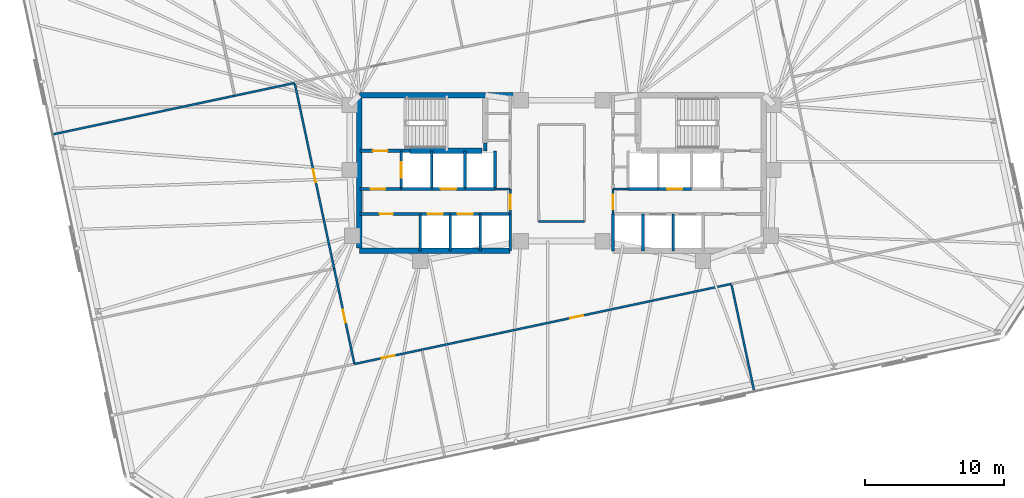
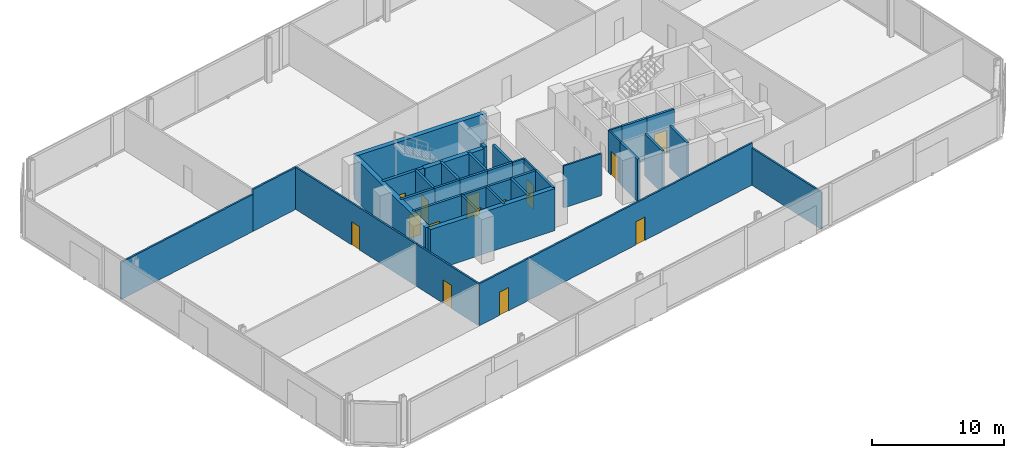
# One storey, part 11 of 15: 36 walls, 14 doors, 14 openings.
"""IFC4 building model written with IfcOpenShell, lengths in metres."""

from ifc_helpers import new_model, si_unit, direction, frame, frame_2d, origin, place, context, subcontext, project, spatial, rectangle, extrude, material, layer, layer_set, type_object, element, fill, save


model = new_model("IFC4")

# Units and contexts
model_context = context("Model", 3, precision=1e-05, world=origin(), true_north=direction((0.0, 1.0)))
body_context = subcontext(model_context, "Body", "Model", "MODEL_VIEW")
ifc_project = project(units=[si_unit("LENGTHUNIT", "METRE"), si_unit("AREAUNIT", "SQUARE_METRE"), si_unit("VOLUMEUNIT", "CUBIC_METRE"), si_unit("PLANEANGLEUNIT", "RADIAN"), si_unit("MASSUNIT", "GRAM", prefix="KILO")], contexts=[model_context])

# Site, building, storey
site_placement = place(None, origin())
site = spatial("IfcSite", under=ifc_project, at=site_placement, CompositionType="ELEMENT")
building_placement = place(site_placement, origin())
building = spatial("IfcBuilding", under=site, at=building_placement, Name="Menara Jurai Vektor", CompositionType="ELEMENT")
storey_placement = place(building_placement, frame((0.0, 0.0, 147.300048828125)))
storey = spatial("IfcBuildingStorey", under=building, at=storey_placement, Name="L37", CompositionType="ELEMENT", Elevation=147.300048828125)

# Wall, opening, door
ifc_material_1 = material(Name="Concrete C40/50", Category="concrete")
ifc_layer_1 = layer(ifc_material_1, 0.25)
ifc_layer_set_1 = layer_set([ifc_layer_1], Name="Concrete C40/50")
wall_type_1 = type_object("IfcWallType", Name="INT-WALL-CORE-250", PredefinedType="STANDARD", material=ifc_layer_set_1)
wall_1_placement = place(storey_placement, frame((-14.5, 1.60009765625, 0.0), z_axis=(0.0, 0.0, 1.0), x_axis=(1.0, 0.0, 0.0)))
wall_1 = element("IfcWall", 1, at=wall_1_placement, inside=storey, type_object=wall_type_1, Name="Interior Wall IW-250 L37", PredefinedType="STANDARD", context=body_context, shape_type="SweptSolid", body=[
    extrude(rectangle(XDim=3.60009765625, YDim=0.25, at=frame_2d((1.800048828125, 0.0))), origin(), (0.0, 0.0, 1.0), 3.875),
])
opening_1_placement = place(wall_1_placement, frame((0.919921875, 0.0, 0.0)))
opening_1 = element("IfcOpeningElement", 2, at=opening_1_placement, cuts=wall_1, Name="Opening D-L37-ST1", PredefinedType="OPENING", context=body_context, shape_type="SweptSolid", body=[
    extrude(rectangle(XDim=1.050048828125, YDim=2.14990234375, at=frame_2d((0.52490234375, 1.074951171875))), frame((0.0, 0.135009765625, 0.0), z_axis=(0.0, -1.0, 0.0), x_axis=(1.0, 0.0, 0.0)), (0.0, 0.0, 1.0), 0.27001953125),
])
ifc_material_2 = material(Name="Fire-Rated Steel Door", Category="steel")
door_type_1 = type_object("IfcDoorType", Name="DR-STAIR-1050", OperationType="NOTDEFINED", PredefinedType="DOOR", material=ifc_material_2)
door_1_placement = place(opening_1_placement, origin())
door_1 = element("IfcDoor", 3, at=door_1_placement, inside=storey, type_object=door_type_1, Name="Exit Stair ST1 Door L37", OperationType="SINGLE_SWING_RIGHT", OverallHeight=2.14990234375, OverallWidth=1.050048828125, PredefinedType="DOOR", context=body_context, shape_type="SweptSolid", body=[
    extrude(rectangle(XDim=1.050048828125, YDim=2.14990234375, at=frame_2d((0.52490234375, 1.074951171875))), frame((0.0, 0.02490234375, 0.0), z_axis=(0.0, -1.0, 0.0), x_axis=(1.0, 0.0, 0.0)), (0.0, 0.0, 1.0), 0.050048828125),
])
fill(opening_1, door_1)

# Wall
wall_2_placement = place(storey_placement, frame((-5.5, 1.60009765625, 0.0), z_axis=(0.0, 0.0, 1.0), x_axis=(0.0, 1.0, 0.0)))
element("IfcWall", 4, at=wall_2_placement, inside=storey, type_object=wall_type_1, Name="Interior Wall IW-250 L37", PredefinedType="STANDARD", context=body_context, shape_type="SweptSolid", body=[
    extrude(rectangle(XDim=0.5498046875, YDim=0.25, at=frame_2d((0.27490234375, 0.0))), origin(), (0.0, 0.0, 1.0), 3.875),
])

# Wall, opening, door
wall_3_placement = place(storey_placement, frame((-11.550048828125, -1.14990234375, 0.0), z_axis=(0.0, 0.0, 1.0), x_axis=(0.0, 1.0, 0.0)))
wall_3 = element("IfcWall", 5, at=wall_3_placement, inside=storey, type_object=wall_type_1, Name="Interior Wall IW-250 L37", PredefinedType="STANDARD", context=body_context, shape_type="SweptSolid", body=[
    extrude(rectangle(XDim=2.75, YDim=0.199951171875, at=frame_2d((1.375, 0.0))), origin(), (0.0, 0.0, 1.0), 3.875),
])
opening_2_placement = place(wall_3_placement, frame((0.824951171875, 0.0, 0.0)))
opening_2 = element("IfcOpeningElement", 6, at=opening_2_placement, cuts=wall_3, Name="Opening LD-L37-FL1", PredefinedType="OPENING", context=body_context, shape_type="SweptSolid", body=[
    extrude(rectangle(XDim=1.10009765625, YDim=2.14990234375, at=frame_2d((0.550048828125, 1.074951171875))), frame((0.0, 0.10986328125, 0.0), z_axis=(0.0, -1.0, 0.0), x_axis=(1.0, 0.0, 0.0)), (0.0, 0.0, 1.0), 0.219970703125),
])
ifc_material_3 = material(Name="Stainless Steel Sliding Lift Landing Door", Category="steel")
door_type_2 = type_object("IfcDoorType", Name="DR-LIFT-FIRE-1100", OperationType="NOTDEFINED", PredefinedType="DOOR", material=ifc_material_3)
door_2_placement = place(opening_2_placement, origin())
door_2 = element("IfcDoor", 7, at=door_2_placement, inside=storey, type_object=door_type_2, Name="Lift Landing Door FL1 L37", OperationType="SLIDING_TO_RIGHT", OverallHeight=2.14990234375, OverallWidth=1.10009765625, PredefinedType="DOOR", context=body_context, shape_type="SweptSolid", body=[
    extrude(rectangle(XDim=1.10009765625, YDim=2.14990234375, at=frame_2d((0.550048828125, 1.074951171875))), frame((0.0, 0.02490234375, 0.0), z_axis=(0.0, -1.0, 0.0), x_axis=(1.0, 0.0, 0.0)), (0.0, 0.0, 1.0), 0.050048828125),
])
fill(opening_2, door_2)

# Wall
wall_4_placement = place(storey_placement, frame((-9.35009765625, -1.14990234375, 0.0), z_axis=(0.0, 0.0, 1.0), x_axis=(0.0, 1.0, 0.0)))
element("IfcWall", 8, at=wall_4_placement, inside=storey, type_object=wall_type_1, Name="Interior Wall IW-250 L37", PredefinedType="STANDARD", context=body_context, shape_type="SweptSolid", body=[
    extrude(rectangle(XDim=2.75, YDim=0.199951171875, at=frame_2d((1.375, 0.0))), origin(), (0.0, 0.0, 1.0), 3.875),
])

# Wall, opening, door
wall_5_placement = place(storey_placement, frame((-14.5, -1.14990234375, 0.0), z_axis=(0.0, 0.0, 1.0), x_axis=(1.0, 0.0, 0.0)))
wall_5 = element("IfcWall", 9, at=wall_5_placement, inside=storey, type_object=wall_type_1, Name="Interior Wall IW-250 L37", PredefinedType="STANDARD", context=body_context, shape_type="SweptSolid", body=[
    extrude(rectangle(XDim=2.949951171875, YDim=0.199951171875, at=frame_2d((1.47509765625, 0.0))), origin(), (0.0, 0.0, 1.0), 3.875),
])
opening_3_placement = place(wall_5_placement, frame((0.75, 0.0, 0.0)))
opening_3 = element("IfcOpeningElement", 10, at=opening_3_placement, cuts=wall_5, Name="Opening D-L37-FFW", PredefinedType="OPENING", context=body_context, shape_type="SweptSolid", body=[
    extrude(rectangle(XDim=1.050048828125, YDim=2.179931640625, at=frame_2d((0.52490234375, 1.08984375))), frame((0.0, 0.10986328125, 0.0), z_axis=(0.0, -1.0, 0.0), x_axis=(1.0, 0.0, 0.0)), (0.0, 0.0, 1.0), 0.219970703125),
])
ifc_material_4 = material(Name="Fire-Rated Timber Door", Category="wood")
door_type_3 = type_object("IfcDoorType", Name="DR-LOBBY-1050", OperationType="NOTDEFINED", PredefinedType="DOOR", material=ifc_material_4)
door_3_placement = place(opening_3_placement, origin())
door_3 = element("IfcDoor", 11, at=door_3_placement, inside=storey, type_object=door_type_3, Name="Fire Lift Lobby Door W L37", OperationType="SINGLE_SWING_RIGHT", OverallHeight=2.179931640625, OverallWidth=1.050048828125, PredefinedType="DOOR", context=body_context, shape_type="SweptSolid", body=[
    extrude(rectangle(XDim=1.050048828125, YDim=2.179931640625, at=frame_2d((0.52490234375, 1.08984375))), frame((0.0, 0.02490234375, 0.0), z_axis=(0.0, -1.0, 0.0), x_axis=(1.0, 0.0, 0.0)), (0.0, 0.0, 1.0), 0.050048828125),
])
fill(opening_3, door_3)

# Wall
wall_6_placement = place(storey_placement, frame((-11.550048828125, -1.14990234375, 0.0), z_axis=(0.0, 0.0, 1.0), x_axis=(1.0, 0.0, 0.0)))
element("IfcWall", 12, at=wall_6_placement, inside=storey, type_object=wall_type_1, Name="Interior Wall IW-250 L37", PredefinedType="STANDARD", context=body_context, shape_type="SweptSolid", body=[
    extrude(rectangle(XDim=2.199951171875, YDim=0.199951171875, at=frame_2d((1.10009765625, 0.0))), origin(), (0.0, 0.0, 1.0), 3.875),
])

# Wall, opening, door
ifc_material_5 = material(Name="Gypsum Fireboard Partition", Category="gypsum")
ifc_layer_2 = layer(ifc_material_5, 0.14990234375)
ifc_layer_set_2 = layer_set([ifc_layer_2], Name="Gypsum Fireboard Partition")
wall_type_2 = type_object("IfcWallType", Name="INT-WALL-CORR-150", PredefinedType="PARTITIONING", material=ifc_layer_set_2)
wall_7_placement = place(storey_placement, frame((-3.699951171875, -2.949951171875, 0.0), z_axis=(0.0, 0.0, 1.0), x_axis=(0.0, 1.0, 0.0)))
wall_7 = element("IfcWall", 13, at=wall_7_placement, inside=storey, type_object=wall_type_2, Name="Interior Wall IW-150 L37", PredefinedType="PARTITIONING", context=body_context, shape_type="SweptSolid", body=[
    extrude(rectangle(XDim=1.800048828125, YDim=0.14990234375, at=frame_2d((0.89990234375, 0.0))), origin(), (0.0, 0.0, 1.0), 3.875),
])
opening_4_placement = place(wall_7_placement, frame((0.35009765625, 0.0, 0.0)))
opening_4 = element("IfcOpeningElement", 14, at=opening_4_placement, cuts=wall_7, Name="Opening D-L37-LLW", PredefinedType="OPENING", context=body_context, shape_type="SweptSolid", body=[
    extrude(rectangle(XDim=1.050048828125, YDim=2.179931640625, at=frame_2d((0.52490234375, 1.08984375))), frame((0.0, 0.0849609375, 0.0), z_axis=(0.0, -1.0, 0.0), x_axis=(1.0, 0.0, 0.0)), (0.0, 0.0, 1.0), 0.169921875),
])
door_4_placement = place(opening_4_placement, origin())
door_4 = element("IfcDoor", 15, at=door_4_placement, inside=storey, type_object=door_type_3, Name="Lift Lobby Corridor Door W L37", OperationType="SINGLE_SWING_LEFT", OverallHeight=2.179931640625, OverallWidth=1.050048828125, PredefinedType="DOOR", context=body_context, shape_type="SweptSolid", body=[
    extrude(rectangle(XDim=1.050048828125, YDim=2.179931640625, at=frame_2d((0.52490234375, 1.08984375))), frame((0.0, 0.02490234375, 0.0), z_axis=(0.0, -1.0, 0.0), x_axis=(1.0, 0.0, 0.0)), (0.0, 0.0, 1.0), 0.050048828125),
])
fill(opening_4, door_4)

# Wall
wall_8_placement = place(storey_placement, frame((-4.7900390625, -1.14990234375, 0.0), z_axis=(0.0, 0.0, 1.0), x_axis=(1.0, 0.0, 0.0)))
element("IfcWall", 16, at=wall_8_placement, inside=storey, type_object=wall_type_2, Name="Interior Wall IW-150 L37", PredefinedType="PARTITIONING", context=body_context, shape_type="SweptSolid", body=[
    extrude(rectangle(XDim=1.090087890625, YDim=0.14990234375, at=frame_2d((0.544921875, 0.0))), origin(), (0.0, 0.0, 1.0), 3.875),
])

# Wall, opening, door
wall_9_placement = place(storey_placement, frame((3.699951171875, -2.949951171875, 0.0), z_axis=(0.0, 0.0, 1.0), x_axis=(0.0, 1.0, 0.0)))
wall_9 = element("IfcWall", 17, at=wall_9_placement, inside=storey, type_object=wall_type_2, Name="Interior Wall IW-150 L37", PredefinedType="PARTITIONING", context=body_context, shape_type="SweptSolid", body=[
    extrude(rectangle(XDim=1.800048828125, YDim=0.14990234375, at=frame_2d((0.89990234375, 0.0))), origin(), (0.0, 0.0, 1.0), 3.875),
])
opening_5_placement = place(wall_9_placement, frame((0.35009765625, 0.0, 0.0)))
opening_5 = element("IfcOpeningElement", 18, at=opening_5_placement, cuts=wall_9, Name="Opening D-L37-LLE", PredefinedType="OPENING", context=body_context, shape_type="SweptSolid", body=[
    extrude(rectangle(XDim=1.050048828125, YDim=2.179931640625, at=frame_2d((0.52490234375, 1.08984375))), frame((0.0, 0.0849609375, 0.0), z_axis=(0.0, -1.0, 0.0), x_axis=(1.0, 0.0, 0.0)), (0.0, 0.0, 1.0), 0.169921875),
])
door_5_placement = place(opening_5_placement, frame((1.050048828125, 0.0, 0.0), z_axis=(0.0, 0.0, 1.0), x_axis=(-1.0, 0.0, 0.0)))
door_5 = element("IfcDoor", 19, at=door_5_placement, inside=storey, type_object=door_type_3, Name="Lift Lobby Corridor Door E L37", OperationType="SINGLE_SWING_RIGHT", OverallHeight=2.179931640625, OverallWidth=1.050048828125, PredefinedType="DOOR", context=body_context, shape_type="SweptSolid", body=[
    extrude(rectangle(XDim=1.050048828125, YDim=2.179931640625, at=frame_2d((0.52490234375, 1.08984375))), frame((0.0, 0.02490234375, 0.0), z_axis=(0.0, -1.0, 0.0), x_axis=(1.0, 0.0, 0.0)), (0.0, 0.0, 1.0), 0.050048828125),
])
fill(opening_5, door_5)

# Walls
wall_10_placement = place(storey_placement, frame((3.699951171875, -1.14990234375, 0.0), z_axis=(0.0, 0.0, 1.0), x_axis=(1.0, 0.0, 0.0)))
element("IfcWall", 20, at=wall_10_placement, inside=storey, type_object=wall_type_2, Name="Interior Wall IW-150 L37", PredefinedType="PARTITIONING", context=body_context, shape_type="SweptSolid", body=[
    extrude(rectangle(XDim=1.090087890625, YDim=0.14990234375, at=frame_2d((0.544921875, 0.0))), origin(), (0.0, 0.0, 1.0), 3.875),
])
wall_11_placement = place(storey_placement, frame((-1.64990234375, -3.489501953125, 0.0), z_axis=(0.0, 0.0, 1.0), x_axis=(0.999999975374, -0.000221926315, 0.0)))
element("IfcWall", 21, at=wall_11_placement, inside=storey, type_object=wall_type_2, Name="Interior Wall IW-150 L37", PredefinedType="PARTITIONING", context=body_context, shape_type="SweptSolid", body=[
    extrude(rectangle(XDim=3.30029296875, YDim=0.14990234375, at=frame_2d((1.650146484375, 0.0))), origin(), (0.0, 0.0, 1.0), 3.875),
])

# Wall, opening, door
wall_12_placement = place(storey_placement, frame((-14.916015625, -13.74365234375, 0.0), z_axis=(0.0, 0.0, 1.0), x_axis=(0.978155974847, 0.207872289811, 0.0)))
wall_12 = element("IfcWall", 22, at=wall_12_placement, inside=storey, type_object=wall_type_2, Name="Interior Wall IW-150 L37", PredefinedType="PARTITIONING", context=body_context, shape_type="SweptSolid", body=[
    extrude(rectangle(XDim=4.962158203125, YDim=0.14990234375, at=frame_2d((2.48095703125, 0.0))), origin(), (0.0, 0.0, 1.0), 3.875),
])
opening_6_placement = place(wall_12_placement, frame((2.006103515625, 0.0, 0.0)))
opening_6 = element("IfcOpeningElement", 23, at=opening_6_placement, cuts=wall_12, Name="Opening D37-12", PredefinedType="OPENING", context=body_context, shape_type="SweptSolid", body=[
    extrude(rectangle(XDim=0.949951171875, YDim=2.14990234375, at=frame_2d((0.47509765625, 1.074951171875))), frame((0.0, 0.0849609375, 0.0), z_axis=(0.0, -1.0, 0.0), x_axis=(1.0, 0.0, 0.0)), (0.0, 0.0, 1.0), 0.169921875),
])
ifc_material_6 = material(Name="Solid Core Timber Fire Door", Category="wood")
door_type_4 = type_object("IfcDoorType", Name="DR-ENTRY-950", OperationType="NOTDEFINED", PredefinedType="DOOR", material=ifc_material_6)
door_6_placement = place(opening_6_placement, origin())
door_6 = element("IfcDoor", 24, at=door_6_placement, inside=storey, type_object=door_type_4, Name="Interior Door D37-12", OperationType="SINGLE_SWING_LEFT", OverallHeight=2.14990234375, OverallWidth=0.949951171875, PredefinedType="DOOR", context=body_context, shape_type="SweptSolid", body=[
    extrude(rectangle(XDim=0.949951171875, YDim=2.14990234375, at=frame_2d((0.47509765625, 1.074951171875))), frame((0.0, 0.02490234375, 0.0), z_axis=(0.0, -1.0, 0.0), x_axis=(1.0, 0.0, 0.0)), (0.0, 0.0, 1.0), 0.050048828125),
])
fill(opening_6, door_6)

wall_13_placement = place(storey_placement, frame((-10.062255859375, -12.712158203125, 0.0), z_axis=(0.0, 0.0, 1.0), x_axis=(0.978146755646, 0.207915666603, 0.0)))
wall_13 = element("IfcWall", 25, at=wall_13_placement, inside=storey, type_object=wall_type_2, Name="Interior Wall IW-150 L37", PredefinedType="PARTITIONING", context=body_context, shape_type="SweptSolid", body=[
    extrude(rectangle(XDim=22.780029296875, YDim=0.14990234375, at=frame_2d((11.39013671875, 0.0))), origin(), (0.0, 0.0, 1.0), 3.875),
])
opening_7_placement = place(wall_13_placement, frame((10.9150390625, 0.0, 0.0)))
opening_7 = element("IfcOpeningElement", 26, at=opening_7_placement, cuts=wall_13, Name="Opening D37-13", PredefinedType="OPENING", context=body_context, shape_type="SweptSolid", body=[
    extrude(rectangle(XDim=0.949951171875, YDim=2.14990234375, at=frame_2d((0.47509765625, 1.074951171875))), frame((0.0, 0.0849609375, 0.0), z_axis=(0.0, -1.0, 0.0), x_axis=(1.0, 0.0, 0.0)), (0.0, 0.0, 1.0), 0.169921875),
])
door_7_placement = place(opening_7_placement, origin())
door_7 = element("IfcDoor", 27, at=door_7_placement, inside=storey, type_object=door_type_4, Name="Interior Door D37-13", OperationType="SINGLE_SWING_RIGHT", OverallHeight=2.14990234375, OverallWidth=0.949951171875, PredefinedType="DOOR", context=body_context, shape_type="SweptSolid", body=[
    extrude(rectangle(XDim=0.949951171875, YDim=2.14990234375, at=frame_2d((0.47509765625, 1.074951171875))), frame((0.0, 0.02490234375, 0.0), z_axis=(0.0, -1.0, 0.0), x_axis=(1.0, 0.0, 0.0)), (0.0, 0.0, 1.0), 0.050048828125),
])
fill(opening_7, door_7)

wall_14_placement = place(storey_placement, frame((-14.916015625, -13.74365234375, 0.0), z_axis=(0.0, 0.0, 1.0), x_axis=(-0.207904840851, 0.978149056714, 0.0)))
wall_14 = element("IfcWall", 28, at=wall_14_placement, inside=storey, type_object=wall_type_2, Name="Interior Wall IW-150 L37", PredefinedType="PARTITIONING", context=body_context, shape_type="SweptSolid", body=[
    extrude(rectangle(XDim=7.03271484375, YDim=0.14990234375, at=frame_2d((3.516357421875, 0.0))), origin(), (0.0, 0.0, 1.0), 3.875),
])
opening_8_placement = place(wall_14_placement, frame((3.04150390625, 0.0, 0.0)))
opening_8 = element("IfcOpeningElement", 29, at=opening_8_placement, cuts=wall_14, Name="Opening D37-15", PredefinedType="OPENING", context=body_context, shape_type="SweptSolid", body=[
    extrude(rectangle(XDim=0.949951171875, YDim=2.14990234375, at=frame_2d((0.47509765625, 1.074951171875))), frame((0.0, 0.0849609375, 0.0), z_axis=(0.0, -1.0, 0.0), x_axis=(1.0, 0.0, 0.0)), (0.0, 0.0, 1.0), 0.169921875),
])
door_8_placement = place(opening_8_placement, origin())
door_8 = element("IfcDoor", 30, at=door_8_placement, inside=storey, type_object=door_type_4, Name="Interior Door D37-15", OperationType="SINGLE_SWING_RIGHT", OverallHeight=2.14990234375, OverallWidth=0.949951171875, PredefinedType="DOOR", context=body_context, shape_type="SweptSolid", body=[
    extrude(rectangle(XDim=0.949951171875, YDim=2.14990234375, at=frame_2d((0.47509765625, 1.074951171875))), frame((0.0, 0.02490234375, 0.0), z_axis=(0.0, -1.0, 0.0), x_axis=(1.0, 0.0, 0.0)), (0.0, 0.0, 1.0), 0.050048828125),
])
fill(opening_8, door_8)

wall_15_placement = place(storey_placement, frame((-16.378173828125, -6.864501953125, 0.0), z_axis=(0.0, 0.0, 1.0), x_axis=(-0.207908161816, 0.97814835084, 0.0)))
wall_15 = element("IfcWall", 31, at=wall_15_placement, inside=storey, type_object=wall_type_2, Name="Interior Wall IW-150 L37", PredefinedType="PARTITIONING", context=body_context, shape_type="SweptSolid", body=[
    extrude(rectangle(XDim=13.652099609375, YDim=0.14990234375, at=frame_2d((6.826171875, 0.0))), origin(), (0.0, 0.0, 1.0), 3.875),
])
opening_9_placement = place(wall_15_placement, frame((6.35107421875, 0.0, 0.0)))
opening_9 = element("IfcOpeningElement", 32, at=opening_9_placement, cuts=wall_15, Name="Opening D37-16", PredefinedType="OPENING", context=body_context, shape_type="SweptSolid", body=[
    extrude(rectangle(XDim=0.949951171875, YDim=2.14990234375, at=frame_2d((0.47509765625, 1.074951171875))), frame((0.0, 0.0849609375, 0.0), z_axis=(0.0, -1.0, 0.0), x_axis=(1.0, 0.0, 0.0)), (0.0, 0.0, 1.0), 0.169921875),
])
door_9_placement = place(opening_9_placement, origin())
door_9 = element("IfcDoor", 33, at=door_9_placement, inside=storey, type_object=door_type_4, Name="Interior Door D37-16", OperationType="SINGLE_SWING_LEFT", OverallHeight=2.14990234375, OverallWidth=0.949951171875, PredefinedType="DOOR", context=body_context, shape_type="SweptSolid", body=[
    extrude(rectangle(XDim=0.949951171875, YDim=2.14990234375, at=frame_2d((0.47509765625, 1.074951171875))), frame((0.0, 0.02490234375, 0.0), z_axis=(0.0, -1.0, 0.0), x_axis=(1.0, 0.0, 0.0)), (0.0, 0.0, 1.0), 0.050048828125),
])
fill(opening_9, door_9)

# Walls
wall_16_placement = place(storey_placement, frame((-23.5380859375, 5.57080078125, 0.0), z_axis=(0.0, 0.0, 1.0), x_axis=(0.978152811504, 0.20788717456, 0.0)))
element("IfcWall", 34, at=wall_16_placement, inside=storey, type_object=wall_type_2, Name="Interior Wall IW-150 L37", PredefinedType="PARTITIONING", context=body_context, shape_type="SweptSolid", body=[
    extrude(rectangle(XDim=4.41796875, YDim=0.14990234375, at=frame_2d((2.208984375, 0.0))), origin(), (0.0, 0.0, 1.0), 3.875),
])
ifc_layer_3 = layer(ifc_material_5, 0.14990234375)
ifc_layer_set_3 = layer_set([ifc_layer_3], Name="Gypsum Fireboard Partition")
wall_type_3 = type_object("IfcWallType", Name="INT-WALL-CORR-150-H1", PredefinedType="PARTITIONING", material=ifc_layer_set_3)
wall_17_placement = place(storey_placement, frame((-36.645263671875, 2.78466796875, 0.0), z_axis=(0.0, 0.0, 1.0), x_axis=(0.978145837467, 0.207919986164, 0.0)))
element("IfcWall", 35, at=wall_17_placement, inside=storey, type_object=wall_type_3, Name="Interior Wall IW-150 L37", PredefinedType="PARTITIONING", context=body_context, shape_type="SweptSolid", body=[
    extrude(rectangle(XDim=13.39990234375, YDim=0.14990234375, at=frame_2d((6.699951171875, 0.0))), origin(), (0.0, 0.0, 1.0), 3.425048828125),
])
wall_18_placement = place(storey_placement, frame((13.86669921875, -15.722900390625, 0.0), z_axis=(0.0, 0.0, 1.0), x_axis=(-0.207916267651, 0.978146627887, 0.0)))
element("IfcWall", 36, at=wall_18_placement, inside=storey, type_object=wall_type_3, Name="Interior Wall IW-150 L37", PredefinedType="PARTITIONING", context=body_context, shape_type="SweptSolid", body=[
    extrude(rectangle(XDim=7.920166015625, YDim=0.14990234375, at=frame_2d((3.9599609375, 0.0))), origin(), (0.0, 0.0, 1.0), 3.425048828125),
])
ifc_layer_4 = layer(ifc_material_1, 0.199951171875)
ifc_layer_set_4 = layer_set([ifc_layer_4], Name="Concrete C40/50")
wall_type_4 = type_object("IfcWallType", Name="INT-WALL-SHAFT-200", PredefinedType="STANDARD", material=ifc_layer_set_4)
wall_19_placement = place(storey_placement, frame((-3.699951171875, -5.60009765625, 0.0), z_axis=(0.0, 0.0, 1.0), x_axis=(0.0, 1.0, 0.0)))
element("IfcWall", 37, at=wall_19_placement, inside=storey, type_object=wall_type_4, Name="Interior Wall IW-200 L37", PredefinedType="STANDARD", context=body_context, shape_type="SweptSolid", body=[
    extrude(rectangle(XDim=2.650146484375, YDim=0.199951171875, at=frame_2d((1.3251953125, 0.0))), origin(), (0.0, 0.0, 1.0), 3.875),
])
wall_20_placement = place(storey_placement, frame((-6.949951171875, -1.14990234375, 0.0), z_axis=(0.0, 0.0, 1.0), x_axis=(0.0, 1.0, 0.0)))
element("IfcWall", 38, at=wall_20_placement, inside=storey, type_object=wall_type_4, Name="Interior Wall IW-200 L37", PredefinedType="STANDARD", context=body_context, shape_type="SweptSolid", body=[
    extrude(rectangle(XDim=2.75, YDim=0.199951171875, at=frame_2d((1.375, 0.0))), origin(), (0.0, 0.0, 1.0), 3.875),
])

# Wall, opening, door
wall_21_placement = place(storey_placement, frame((-9.35009765625, -1.14990234375, 0.0), z_axis=(0.0, 0.0, 1.0), x_axis=(1.0, 0.0, 0.0)))
wall_21 = element("IfcWall", 39, at=wall_21_placement, inside=storey, type_object=wall_type_4, Name="Interior Wall IW-200 L37", PredefinedType="STANDARD", context=body_context, shape_type="SweptSolid", body=[
    extrude(rectangle(XDim=2.400146484375, YDim=0.199951171875, at=frame_2d((1.2001953125, 0.0))), origin(), (0.0, 0.0, 1.0), 3.875),
])
opening_10_placement = place(wall_21_placement, frame((0.64990234375, 0.0, 0.0)))
opening_10 = element("IfcOpeningElement", 40, at=opening_10_placement, cuts=wall_21, Name="Opening LD-L37-SVL1", PredefinedType="OPENING", context=body_context, shape_type="SweptSolid", body=[
    extrude(rectangle(XDim=1.10009765625, YDim=2.14990234375, at=frame_2d((0.550048828125, 1.074951171875))), frame((0.0, 0.10986328125, 0.0), z_axis=(0.0, -1.0, 0.0), x_axis=(1.0, 0.0, 0.0)), (0.0, 0.0, 1.0), 0.219970703125),
])
ifc_material_7 = material(Name="Anodised Stainless Sliding Lift Landing Door", Category="steel")
door_type_5 = type_object("IfcDoorType", Name="DR-LIFT-PASS-1100", OperationType="NOTDEFINED", PredefinedType="DOOR", material=ifc_material_7)
door_10_placement = place(opening_10_placement, origin())
door_10 = element("IfcDoor", 41, at=door_10_placement, inside=storey, type_object=door_type_5, Name="Lift Landing Door SVL1 L37", OperationType="SLIDING_TO_RIGHT", OverallHeight=2.14990234375, OverallWidth=1.10009765625, PredefinedType="DOOR", context=body_context, shape_type="SweptSolid", body=[
    extrude(rectangle(XDim=1.10009765625, YDim=2.14990234375, at=frame_2d((0.550048828125, 1.074951171875))), frame((0.0, 0.02490234375, 0.0), z_axis=(0.0, -1.0, 0.0), x_axis=(1.0, 0.0, 0.0)), (0.0, 0.0, 1.0), 0.050048828125),
])
fill(opening_10, door_10)

# Walls
wall_22_placement = place(storey_placement, frame((-4.7900390625, -1.14990234375, 0.0), z_axis=(0.0, 0.0, 1.0), x_axis=(0.0, 1.0, 0.0)))
element("IfcWall", 42, at=wall_22_placement, inside=storey, type_object=wall_type_4, Name="Interior Wall IW-200 L37", PredefinedType="STANDARD", context=body_context, shape_type="SweptSolid", body=[
    extrude(rectangle(XDim=2.75, YDim=0.199951171875, at=frame_2d((1.375, 0.0))), origin(), (0.0, 0.0, 1.0), 3.875),
])
wall_23_placement = place(storey_placement, frame((-6.949951171875, -1.14990234375, 0.0), z_axis=(0.0, 0.0, 1.0), x_axis=(1.0, 0.0, 0.0)))
element("IfcWall", 43, at=wall_23_placement, inside=storey, type_object=wall_type_4, Name="Interior Wall IW-200 L37", PredefinedType="STANDARD", context=body_context, shape_type="SweptSolid", body=[
    extrude(rectangle(XDim=2.159912109375, YDim=0.199951171875, at=frame_2d((1.080078125, 0.0))), origin(), (0.0, 0.0, 1.0), 3.875),
])

# Wall, openings, doors
wall_24_placement = place(storey_placement, frame((-14.5, -2.949951171875, 0.0), z_axis=(0.0, 0.0, 1.0), x_axis=(1.0, 0.0, 0.0)))
wall_24 = element("IfcWall", 44, at=wall_24_placement, inside=storey, type_object=wall_type_4, Name="Interior Wall IW-200 L37", PredefinedType="STANDARD", context=body_context, shape_type="SweptSolid", body=[
    extrude(rectangle(XDim=10.800048828125, YDim=0.199951171875, at=frame_2d((5.39990234375, 0.0))), origin(), (0.0, 0.0, 1.0), 3.875),
])
opening_11_placement = place(wall_24_placement, frame((4.85009765625, 0.0, 0.0)))
opening_11 = element("IfcOpeningElement", 45, at=opening_11_placement, cuts=wall_24, Name="Opening LD-L37-PM1", PredefinedType="OPENING", context=body_context, shape_type="SweptSolid", body=[
    extrude(rectangle(XDim=1.10009765625, YDim=2.14990234375, at=frame_2d((0.550048828125, 1.074951171875))), frame((0.0, 0.10986328125, 0.0), z_axis=(0.0, -1.0, 0.0), x_axis=(1.0, 0.0, 0.0)), (0.0, 0.0, 1.0), 0.219970703125),
])
opening_12_placement = place(wall_24_placement, frame((7.010009765625, 0.0, 0.0)))
opening_12 = element("IfcOpeningElement", 46, at=opening_12_placement, cuts=wall_24, Name="Opening LD-L37-PM2", PredefinedType="OPENING", context=body_context, shape_type="SweptSolid", body=[
    extrude(rectangle(XDim=1.10009765625, YDim=2.14990234375, at=frame_2d((0.550048828125, 1.074951171875))), frame((0.0, 0.10986328125, 0.0), z_axis=(0.0, -1.0, 0.0), x_axis=(1.0, 0.0, 0.0)), (0.0, 0.0, 1.0), 0.219970703125),
])
opening_13_placement = place(wall_24_placement, frame((1.39990234375, 0.0, 0.0)))
opening_13 = element("IfcOpeningElement", 47, at=opening_13_placement, cuts=wall_24, Name="Opening D37-01", PredefinedType="OPENING", context=body_context, shape_type="SweptSolid", body=[
    extrude(rectangle(XDim=0.949951171875, YDim=2.14990234375, at=frame_2d((0.47509765625, 1.074951171875))), frame((0.0, 0.10986328125, 0.0), z_axis=(0.0, -1.0, 0.0), x_axis=(1.0, 0.0, 0.0)), (0.0, 0.0, 1.0), 0.219970703125),
])
door_11_placement = place(opening_13_placement, origin())
door_11 = element("IfcDoor", 48, at=door_11_placement, inside=storey, type_object=door_type_4, Name="Interior Door D37-01", OperationType="SINGLE_SWING_LEFT", OverallHeight=2.14990234375, OverallWidth=0.949951171875, PredefinedType="DOOR", context=body_context, shape_type="SweptSolid", body=[
    extrude(rectangle(XDim=0.949951171875, YDim=2.14990234375, at=frame_2d((0.47509765625, 1.074951171875))), frame((0.0, 0.02490234375, 0.0), z_axis=(0.0, -1.0, 0.0), x_axis=(1.0, 0.0, 0.0)), (0.0, 0.0, 1.0), 0.050048828125),
])
fill(opening_13, door_11)
door_12_placement = place(opening_11_placement, origin())
door_12 = element("IfcDoor", 49, at=door_12_placement, inside=storey, type_object=door_type_5, Name="Lift Landing Door PM1 L37", OperationType="SLIDING_TO_LEFT", OverallHeight=2.14990234375, OverallWidth=1.10009765625, PredefinedType="DOOR", context=body_context, shape_type="SweptSolid", body=[
    extrude(rectangle(XDim=1.10009765625, YDim=2.14990234375, at=frame_2d((0.550048828125, 1.074951171875))), frame((0.0, 0.02490234375, 0.0), z_axis=(0.0, -1.0, 0.0), x_axis=(1.0, 0.0, 0.0)), (0.0, 0.0, 1.0), 0.050048828125),
])
fill(opening_11, door_12)
door_13_placement = place(opening_12_placement, origin())
door_13 = element("IfcDoor", 50, at=door_13_placement, inside=storey, type_object=door_type_5, Name="Lift Landing Door PM2 L37", OperationType="SLIDING_TO_LEFT", OverallHeight=2.14990234375, OverallWidth=1.10009765625, PredefinedType="DOOR", context=body_context, shape_type="SweptSolid", body=[
    extrude(rectangle(XDim=1.10009765625, YDim=2.14990234375, at=frame_2d((0.550048828125, 1.074951171875))), frame((0.0, 0.02490234375, 0.0), z_axis=(0.0, -1.0, 0.0), x_axis=(1.0, 0.0, 0.0)), (0.0, 0.0, 1.0), 0.050048828125),
])
fill(opening_12, door_13)

# Walls
wall_25_placement = place(storey_placement, frame((-5.860107421875, -5.60009765625, 0.0), z_axis=(0.0, 0.0, 1.0), x_axis=(0.0, 1.0, 0.0)))
element("IfcWall", 51, at=wall_25_placement, inside=storey, type_object=wall_type_4, Name="Interior Wall IW-200 L37", PredefinedType="STANDARD", context=body_context, shape_type="SweptSolid", body=[
    extrude(rectangle(XDim=2.650146484375, YDim=0.199951171875, at=frame_2d((1.3251953125, 0.0))), origin(), (0.0, 0.0, 1.0), 3.875),
])
for number, where, z_axis, x_axis, name in (
    (52, (-10.179931640625, -5.60009765625, 0.0), (0.0, 0.0, 1.0), (0.0, 1.0, 0.0), "Interior Wall IW-200 L37"),
    (53, (-8.02001953125, -5.60009765625, 0.0), (0.0, 0.0, 1.0), (0.0, 1.0, 0.0), "Interior Wall IW-200 L37"),
):
    element("IfcWall", number, at=place(storey_placement, frame(where, z_axis=z_axis, x_axis=x_axis)), inside=storey, type_object=wall_type_4, Name=name, PredefinedType="STANDARD", context=body_context, shape_type="SweptSolid", body=[
        extrude(rectangle(XDim=2.650146484375, YDim=0.179931640625, at=frame_2d((1.3251953125, 0.0))), origin(), (0.0, 0.0, 1.0), 3.875),
    ])
wall_26_placement = place(storey_placement, frame((3.699951171875, -5.60009765625, 0.0), z_axis=(0.0, 0.0, 1.0), x_axis=(0.0, 1.0, 0.0)))
element("IfcWall", 54, at=wall_26_placement, inside=storey, type_object=wall_type_4, Name="Interior Wall IW-200 L37", PredefinedType="STANDARD", context=body_context, shape_type="SweptSolid", body=[
    extrude(rectangle(XDim=2.650146484375, YDim=0.199951171875, at=frame_2d((1.3251953125, 0.0))), origin(), (0.0, 0.0, 1.0), 3.875),
])

# Wall, opening, door
wall_27_placement = place(storey_placement, frame((6.949951171875, -1.14990234375, 0.0), z_axis=(0.0, 0.0, 1.0), x_axis=(1.0, 0.0, 0.0)))
wall_27 = element("IfcWall", 55, at=wall_27_placement, inside=storey, type_object=wall_type_4, Name="Interior Wall IW-200 L37", PredefinedType="STANDARD", context=body_context, shape_type="SweptSolid", body=[
    extrude(rectangle(XDim=2.400146484375, YDim=0.199951171875, at=frame_2d((1.2001953125, 0.0))), origin(), (0.0, 0.0, 1.0), 3.875),
])
opening_14_placement = place(wall_27_placement, frame((0.64990234375, 0.0, 0.0)))
opening_14 = element("IfcOpeningElement", 56, at=opening_14_placement, cuts=wall_27, Name="Opening LD-L37-SVL2", PredefinedType="OPENING", context=body_context, shape_type="SweptSolid", body=[
    extrude(rectangle(XDim=1.10009765625, YDim=2.14990234375, at=frame_2d((0.550048828125, 1.074951171875))), frame((0.0, 0.10986328125, 0.0), z_axis=(0.0, -1.0, 0.0), x_axis=(1.0, 0.0, 0.0)), (0.0, 0.0, 1.0), 0.219970703125),
])
door_14_placement = place(opening_14_placement, origin())
door_14 = element("IfcDoor", 57, at=door_14_placement, inside=storey, type_object=door_type_5, Name="Lift Landing Door SVL2 L37", OperationType="SLIDING_TO_RIGHT", OverallHeight=2.14990234375, OverallWidth=1.10009765625, PredefinedType="DOOR", context=body_context, shape_type="SweptSolid", body=[
    extrude(rectangle(XDim=1.10009765625, YDim=2.14990234375, at=frame_2d((0.550048828125, 1.074951171875))), frame((0.0, 0.02490234375, 0.0), z_axis=(0.0, -1.0, 0.0), x_axis=(1.0, 0.0, 0.0)), (0.0, 0.0, 1.0), 0.050048828125),
])
fill(opening_14, door_14)

# Walls
wall_28_placement = place(storey_placement, frame((4.7900390625, -1.14990234375, 0.0), z_axis=(0.0, 0.0, 1.0), x_axis=(1.0, 0.0, 0.0)))
element("IfcWall", 58, at=wall_28_placement, inside=storey, type_object=wall_type_4, Name="Interior Wall IW-200 L37", PredefinedType="STANDARD", context=body_context, shape_type="SweptSolid", body=[
    extrude(rectangle(XDim=2.159912109375, YDim=0.199951171875, at=frame_2d((1.080078125, 0.0))), origin(), (0.0, 0.0, 1.0), 3.875),
])
wall_29_placement = place(storey_placement, frame((5.860107421875, -5.60009765625, 0.0), z_axis=(0.0, 0.0, 1.0), x_axis=(0.0, 1.0, 0.0)))
element("IfcWall", 59, at=wall_29_placement, inside=storey, type_object=wall_type_4, Name="Interior Wall IW-200 L37", PredefinedType="STANDARD", context=body_context, shape_type="SweptSolid", body=[
    extrude(rectangle(XDim=2.650146484375, YDim=0.199951171875, at=frame_2d((1.3251953125, 0.0))), origin(), (0.0, 0.0, 1.0), 3.875),
])
wall_30_placement = place(storey_placement, frame((8.02001953125, -5.60009765625, 0.0), z_axis=(0.0, 0.0, 1.0), x_axis=(0.0, 1.0, 0.0)))
element("IfcWall", 60, at=wall_30_placement, inside=storey, type_object=wall_type_4, Name="Interior Wall IW-200 L37", PredefinedType="STANDARD", context=body_context, shape_type="SweptSolid", body=[
    extrude(rectangle(XDim=2.650146484375, YDim=0.179931640625, at=frame_2d((1.3251953125, 0.0))), origin(), (0.0, 0.0, 1.0), 3.875),
])
ifc_material_8 = material(Name="Concrete C50/60", Category="concrete")
ifc_layer_5 = layer(ifc_material_8, 0.39990234375)
ifc_layer_set_5 = layer_set([ifc_layer_5], Name="Concrete C50/60")
wall_type_5 = type_object("IfcWallType", Name="STR-WALL-CORE400", PredefinedType="SHEAR", material=ifc_layer_set_5)
wall_31_placement = place(storey_placement, frame((-14.56005859375, 5.60009765625, 0.0), z_axis=(0.0, 0.0, 1.0), x_axis=(1.0, 0.0, 0.0)))
element("IfcWall", 61, at=wall_31_placement, inside=storey, type_object=wall_type_5, Name="Core Shear Wall CW-W-N L37", PredefinedType="SHEAR", context=body_context, shape_type="SweptSolid", body=[
    extrude(rectangle(XDim=11.41015625, YDim=0.39990234375, at=frame_2d((5.705078125, 0.0))), origin(), (0.0, 0.0, 1.0), 3.875),
])
wall_32_placement = place(storey_placement, frame((-14.56005859375, -5.60009765625, 0.0), z_axis=(0.0, 0.0, 1.0), x_axis=(1.0, 0.0, 0.0)))
element("IfcWall", 62, at=wall_32_placement, inside=storey, type_object=wall_type_5, Name="Core Shear Wall CW-W-S L37", PredefinedType="SHEAR", context=body_context, shape_type="SweptSolid", body=[
    extrude(rectangle(XDim=10.860107421875, YDim=0.39990234375, at=frame_2d((5.43017578125, 0.0))), origin(), (0.0, 0.0, 1.0), 3.875),
])
wall_33_placement = place(storey_placement, frame((-14.56005859375, -5.39990234375, 0.0), z_axis=(0.0, 0.0, 1.0), x_axis=(0.0, 1.0, 0.0)))
element("IfcWall", 63, at=wall_33_placement, inside=storey, type_object=wall_type_5, Name="Core Shear Wall CW-W-W L37", PredefinedType="SHEAR", context=body_context, shape_type="SweptSolid", body=[
    extrude(rectangle(XDim=10.7998046875, YDim=0.39990234375, at=frame_2d((5.39990234375, 0.0))), origin(), (0.0, 0.0, 1.0), 3.875),
])
wall_34_placement = place(storey_placement, frame((-10.89990234375, 1.60009765625, 0.0), z_axis=(0.0, 0.0, 1.0), x_axis=(1.0, 0.0, 0.0)))
element("IfcWall", 64, at=wall_34_placement, inside=storey, type_object=wall_type_5, Name="Core Shear Wall CW-W-STS L37", PredefinedType="SHEAR", context=body_context, shape_type="SweptSolid", body=[
    extrude(rectangle(XDim=5.14990234375, YDim=0.39990234375, at=frame_2d((2.574951171875, 0.0))), origin(), (0.0, 0.0, 1.0), 3.875),
])

save(model, "model.ifc")
